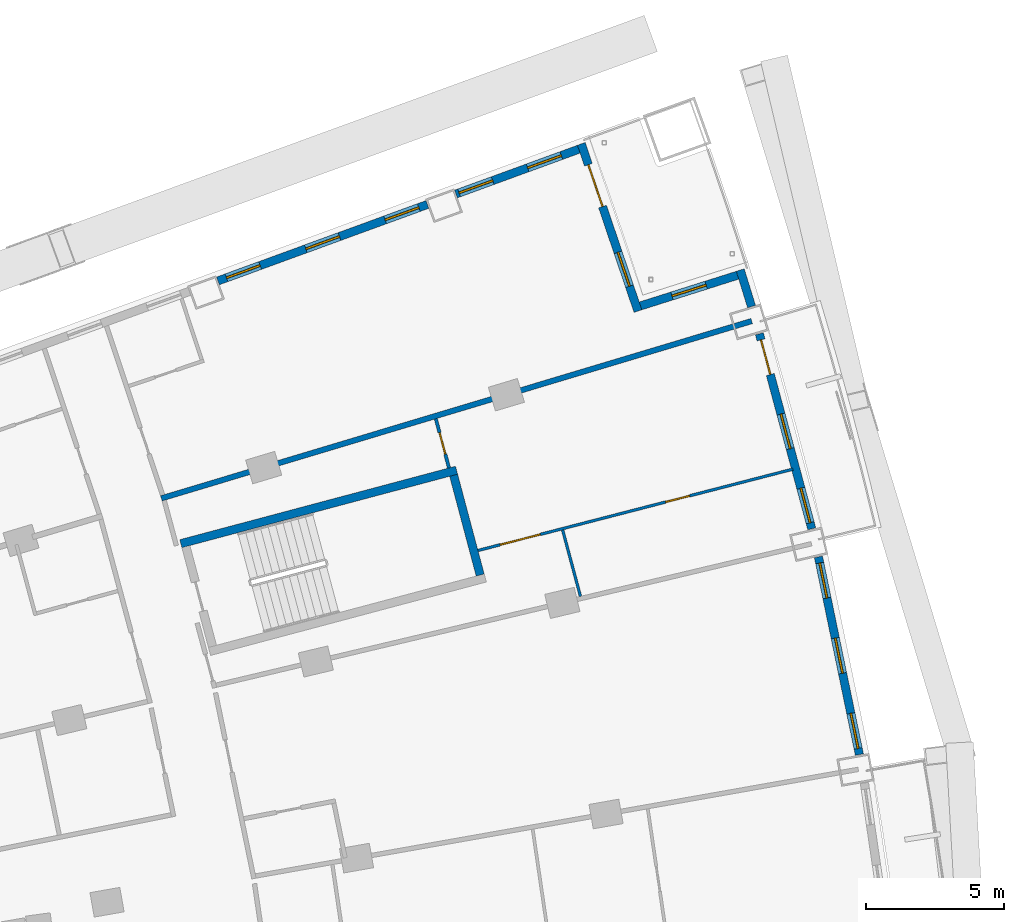
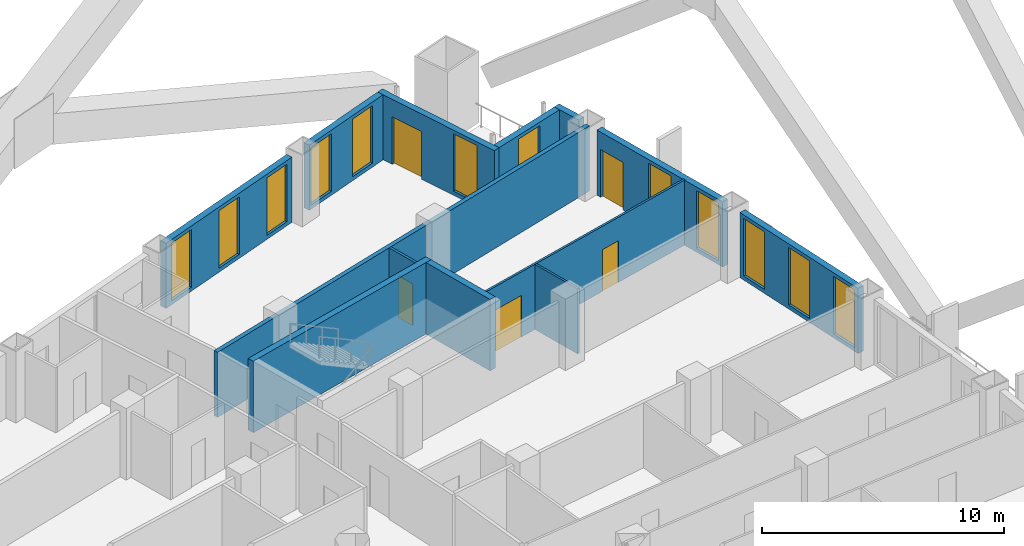
# One storey, part 21 of 25: 13 walls, 12 windows, 5 doors, 17 openings.
"""IFC4 building model written with IfcOpenShell, lengths in metres."""

from ifc_helpers import new_model, si_unit, direction, frame, frame_2d, origin, place, context, subcontext, project, spatial, rectangle, extrude, material, layer, layer_set, type_object, element, fill, save


model = new_model("IFC4")

# Units and contexts
model_context = context("Model", 3, precision=1e-05, world=origin(), true_north=direction((0.0, 1.0)))
body_context = subcontext(model_context, "Body", "Model", "MODEL_VIEW")
ifc_project = project(units=[si_unit("LENGTHUNIT", "METRE"), si_unit("AREAUNIT", "SQUARE_METRE"), si_unit("VOLUMEUNIT", "CUBIC_METRE"), si_unit("PLANEANGLEUNIT", "RADIAN"), si_unit("MASSUNIT", "GRAM", prefix="KILO")], contexts=[model_context])

# Site, building, storey
site_placement = place(None, origin())
site = spatial("IfcSite", under=ifc_project, at=site_placement, CompositionType="ELEMENT")
building_placement = place(site_placement, origin())
building = spatial("IfcBuilding", under=site, at=building_placement, Name="Alderwake Tower", CompositionType="ELEMENT")
storey_placement = place(building_placement, frame((0.0, 0.0, 32.0)))
storey = spatial("IfcBuildingStorey", under=building, at=storey_placement, Name="L06", CompositionType="ELEMENT", Elevation=32.0)

# Walls
ifc_material_1 = material(Name="Concrete C70/85", Category="concrete")
ifc_layer_1 = layer(ifc_material_1, 0.300048828125)
ifc_layer_set_1 = layer_set([ifc_layer_1], Name="Core wall stair enclosure 300 C70-85")
wall_type_1 = type_object("IfcWallType", Name="Core wall stair enclosure 300 C70-85", PredefinedType="SHEAR", material=ifc_layer_set_1)
wall_1_placement = place(storey_placement, frame((36.71142578125, 94.182373046875, 0.0), z_axis=(0.0, 0.0, 1.0), x_axis=(0.966309214305, 0.257383958996, 0.0)))
element("IfcWall", 1, at=wall_1_placement, inside=storey, type_object=wall_type_1, Name="Core wall CW.082", PredefinedType="SHEAR", context=body_context, shape_type="SweptSolid", body=[
    extrude(rectangle(XDim=10.360107421875, YDim=0.300048828125, at=frame_2d((5.18017578125, 0.0))), origin(), (0.0, 0.0, 1.0), 3.60009765625),
])
wall_2_placement = place(storey_placement, frame((47.581298828125, 93.041748046875, 0.0), z_axis=(0.0, 0.0, 1.0), x_axis=(-0.257366821694, 0.966313778796, 0.0)))
element("IfcWall", 2, at=wall_2_placement, inside=storey, type_object=wall_type_1, Name="Core wall CW.081", PredefinedType="SHEAR", context=body_context, shape_type="SweptSolid", body=[
    extrude(rectangle(XDim=3.749755859375, YDim=0.300048828125, at=frame_2d((1.875, 0.0))), origin(), (0.0, 0.0, 1.0), 3.60009765625),
])

# Wall, openings, windows
ifc_material_2 = material(Name="Precast concrete C50/60 spandrel panel", Category="concrete")
ifc_layer_2 = layer(ifc_material_2, 0.300048828125)
ifc_layer_set_2 = layer_set([ifc_layer_2], Name="External wall EW1 Precast concrete C50/60 spandrel")
wall_type_2 = type_object("IfcWallType", Name="External wall EW1 Precast concrete C50/60 spandrel", PredefinedType="SOLIDWALL", material=ifc_layer_set_2)
wall_3_placement = place(storey_placement, frame((61.349609375, 86.5244140625, 0.0), z_axis=(0.0, 0.0, 1.0), x_axis=(-0.202760911141, 0.979228274159, 0.0)))
wall_3 = element("IfcWall", 3, at=wall_3_placement, inside=storey, type_object=wall_type_2, Name="External wall 20", PredefinedType="SOLIDWALL", context=body_context, shape_type="SweptSolid", body=[
    extrude(rectangle(XDim=7.329345703125, YDim=0.300048828125, at=frame_2d((3.66455078125, 0.0))), origin(), (0.0, 0.0, 1.0), 3.280029296875),
])
opening_1_placement = place(wall_3_placement, frame((0.226806640625, 0.0, 0.199951171875)))
opening_1 = element("IfcOpeningElement", 4, at=opening_1_placement, cuts=wall_3, Name="Opening W1", PredefinedType="OPENING", context=body_context, shape_type="SweptSolid", body=[
    extrude(rectangle(XDim=1.300048828125, YDim=2.89990234375, at=frame_2d((0.64990234375, 1.449951171875))), frame((0.0, 0.159912109375, 0.0), z_axis=(0.0, -1.0, 0.0), x_axis=(1.0, 0.0, 0.0)), (0.0, 0.0, 1.0), 0.320068359375),
])
opening_2_placement = place(wall_3_placement, frame((3.0146484375, 0.0, 0.199951171875)))
opening_2 = element("IfcOpeningElement", 5, at=opening_2_placement, cuts=wall_3, Name="Opening W1", PredefinedType="OPENING", context=body_context, shape_type="SweptSolid", body=[
    extrude(rectangle(XDim=1.300048828125, YDim=2.89990234375, at=frame_2d((0.64990234375, 1.449951171875))), frame((0.0, 0.159912109375, 0.0), z_axis=(0.0, -1.0, 0.0), x_axis=(1.0, 0.0, 0.0)), (0.0, 0.0, 1.0), 0.320068359375),
])
opening_3_placement = place(wall_3_placement, frame((5.802490234375, 0.0, 0.199951171875)))
opening_3 = element("IfcOpeningElement", 6, at=opening_3_placement, cuts=wall_3, Name="Opening W1", PredefinedType="OPENING", context=body_context, shape_type="SweptSolid", body=[
    extrude(rectangle(XDim=1.300048828125, YDim=2.89990234375, at=frame_2d((0.64990234375, 1.449951171875))), frame((0.0, 0.159912109375, 0.0), z_axis=(0.0, -1.0, 0.0), x_axis=(1.0, 0.0, 0.0)), (0.0, 0.0, 1.0), 0.320068359375),
])
ifc_material_3 = material(Name="Bronze tinted glass in aluminium frame", Category="aluminium")
window_type = type_object("IfcWindowType", Name="Window W1 tall fixed and vent", PartitioningType="DOUBLE_PANEL_VERTICAL", PredefinedType="WINDOW", material=ifc_material_3)
window_1_placement = place(opening_1_placement, origin())
window_1 = element("IfcWindow", 7, at=window_1_placement, inside=storey, type_object=window_type, Name="Window W1 tall fixed and vent", OverallHeight=2.89990234375, OverallWidth=1.300048828125, PartitioningType="DOUBLE_PANEL_VERTICAL", PredefinedType="WINDOW", context=body_context, shape_type="SweptSolid", body=[
    extrude(rectangle(XDim=1.300048828125, YDim=2.89990234375, at=frame_2d((0.64990234375, 1.449951171875))), frame((0.0, 0.030029296875, 0.0), z_axis=(0.0, -1.0, 0.0), x_axis=(1.0, 0.0, 0.0)), (0.0, 0.0, 1.0), 0.06005859375),
])
fill(opening_1, window_1)
window_2_placement = place(opening_2_placement, origin())
window_2 = element("IfcWindow", 8, at=window_2_placement, inside=storey, type_object=window_type, Name="Window W1 tall fixed and vent", OverallHeight=2.89990234375, OverallWidth=1.300048828125, PartitioningType="DOUBLE_PANEL_VERTICAL", PredefinedType="WINDOW", context=body_context, shape_type="SweptSolid", body=[
    extrude(rectangle(XDim=1.300048828125, YDim=2.89990234375, at=frame_2d((0.64990234375, 1.449951171875))), frame((0.0, 0.030029296875, 0.0), z_axis=(0.0, -1.0, 0.0), x_axis=(1.0, 0.0, 0.0)), (0.0, 0.0, 1.0), 0.06005859375),
])
fill(opening_2, window_2)
window_3_placement = place(opening_3_placement, origin())
window_3 = element("IfcWindow", 9, at=window_3_placement, inside=storey, type_object=window_type, Name="Window W1 tall fixed and vent", OverallHeight=2.89990234375, OverallWidth=1.300048828125, PartitioningType="DOUBLE_PANEL_VERTICAL", PredefinedType="WINDOW", context=body_context, shape_type="SweptSolid", body=[
    extrude(rectangle(XDim=1.300048828125, YDim=2.89990234375, at=frame_2d((0.64990234375, 1.449951171875))), frame((0.0, 0.030029296875, 0.0), z_axis=(0.0, -1.0, 0.0), x_axis=(1.0, 0.0, 0.0)), (0.0, 0.0, 1.0), 0.06005859375),
])
fill(opening_3, window_3)

# Wall, openings, door, windows
wall_4_placement = place(storey_placement, frame((59.62109375, 94.7216796875, 0.0), z_axis=(0.0, 0.0, 1.0), x_axis=(-0.259490825488, 0.965745572854, 0.0)))
wall_4 = element("IfcWall", 10, at=wall_4_placement, inside=storey, type_object=wall_type_2, Name="External wall 21", PredefinedType="SOLIDWALL", context=body_context, shape_type="SweptSolid", body=[
    extrude(rectangle(XDim=7.3291015625, YDim=0.300048828125, at=frame_2d((3.66455078125, 0.0))), origin(), (0.0, 0.0, 1.0), 3.280029296875),
])
opening_4_placement = place(wall_4_placement, frame((0.226806640625, 0.0, 0.199951171875)))
opening_4 = element("IfcOpeningElement", 11, at=opening_4_placement, cuts=wall_4, Name="Opening W1", PredefinedType="OPENING", context=body_context, shape_type="SweptSolid", body=[
    extrude(rectangle(XDim=1.300048828125, YDim=2.89990234375, at=frame_2d((0.64990234375, 1.449951171875))), frame((0.0, 0.159912109375, 0.0), z_axis=(0.0, -1.0, 0.0), x_axis=(1.0, 0.0, 0.0)), (0.0, 0.0, 1.0), 0.320068359375),
])
opening_5_placement = place(wall_4_placement, frame((3.0146484375, 0.0, 0.199951171875)))
opening_5 = element("IfcOpeningElement", 12, at=opening_5_placement, cuts=wall_4, Name="Opening W1", PredefinedType="OPENING", context=body_context, shape_type="SweptSolid", body=[
    extrude(rectangle(XDim=1.300048828125, YDim=2.89990234375, at=frame_2d((0.64990234375, 1.449951171875))), frame((0.0, 0.159912109375, 0.0), z_axis=(0.0, -1.0, 0.0), x_axis=(1.0, 0.0, 0.0)), (0.0, 0.0, 1.0), 0.320068359375),
])
opening_6_placement = place(wall_4_placement, frame((5.802490234375, 0.0, 0.0)))
opening_6 = element("IfcOpeningElement", 13, at=opening_6_placement, cuts=wall_4, Name="Opening D11", PredefinedType="OPENING", context=body_context, shape_type="SweptSolid", body=[
    extrude(rectangle(XDim=1.300048828125, YDim=2.39990234375, at=frame_2d((0.64990234375, 1.199951171875))), frame((0.0, 0.159912109375, 0.0), z_axis=(0.0, -1.0, 0.0), x_axis=(1.0, 0.0, 0.0)), (0.0, 0.0, 1.0), 0.320068359375),
])
ifc_material_4 = material(Name="Bronze tinted glass in aluminium frame", Category="aluminium")
door_type_1 = type_object("IfcDoorType", Name="Balcony door BD sliding", OperationType="SLIDING_TO_LEFT", PredefinedType="DOOR", material=ifc_material_4)
door_1_placement = place(opening_6_placement, origin())
door_1 = element("IfcDoor", 14, at=door_1_placement, inside=storey, type_object=door_type_1, Name="Door D11", OperationType="SLIDING_TO_LEFT", OverallHeight=2.39990234375, OverallWidth=1.300048828125, PredefinedType="DOOR", context=body_context, shape_type="SweptSolid", body=[
    extrude(rectangle(XDim=1.300048828125, YDim=2.39990234375, at=frame_2d((0.64990234375, 1.199951171875))), frame((0.0, 0.02490234375, 0.0), z_axis=(0.0, -1.0, 0.0), x_axis=(1.0, 0.0, 0.0)), (0.0, 0.0, 1.0), 0.050048828125),
])
fill(opening_6, door_1)
window_4_placement = place(opening_4_placement, origin())
window_4 = element("IfcWindow", 15, at=window_4_placement, inside=storey, type_object=window_type, Name="Window W1 tall fixed and vent", OverallHeight=2.89990234375, OverallWidth=1.300048828125, PartitioningType="DOUBLE_PANEL_VERTICAL", PredefinedType="WINDOW", context=body_context, shape_type="SweptSolid", body=[
    extrude(rectangle(XDim=1.300048828125, YDim=2.89990234375, at=frame_2d((0.64990234375, 1.449951171875))), frame((0.0, 0.030029296875, 0.0), z_axis=(0.0, -1.0, 0.0), x_axis=(1.0, 0.0, 0.0)), (0.0, 0.0, 1.0), 0.06005859375),
])
fill(opening_4, window_4)
window_5_placement = place(opening_5_placement, origin())
window_5 = element("IfcWindow", 16, at=window_5_placement, inside=storey, type_object=window_type, Name="Window W1 tall fixed and vent", OverallHeight=2.89990234375, OverallWidth=1.300048828125, PartitioningType="DOUBLE_PANEL_VERTICAL", PredefinedType="WINDOW", context=body_context, shape_type="SweptSolid", body=[
    extrude(rectangle(XDim=1.300048828125, YDim=2.89990234375, at=frame_2d((0.64990234375, 1.449951171875))), frame((0.0, 0.030029296875, 0.0), z_axis=(0.0, -1.0, 0.0), x_axis=(1.0, 0.0, 0.0)), (0.0, 0.0, 1.0), 0.06005859375),
])
fill(opening_5, window_5)

# Wall
wall_5_placement = place(storey_placement, frame((57.43408203125, 102.790283203125, 0.0), z_axis=(0.0, 0.0, 1.0), x_axis=(-0.294678837425, 0.955596349289, 0.0)))
element("IfcWall", 17, at=wall_5_placement, inside=storey, type_object=wall_type_2, Name="External wall 22", PredefinedType="SOLIDWALL", context=body_context, shape_type="SweptSolid", body=[
    extrude(rectangle(XDim=1.388671875, YDim=0.300048828125, at=frame_2d((0.6943359375, 0.0))), origin(), (0.0, 0.0, 1.0), 3.280029296875),
])

# Wall, opening, window
ifc_material_5 = material(Name="Bronze metal cladding on lightweight framing")
ifc_layer_3 = layer(ifc_material_5, 0.300048828125)
ifc_layer_set_3 = layer_set([ifc_layer_3], Name="External wall EW2 bronze metal cladding")
wall_type_3 = type_object("IfcWallType", Name="External wall EW2 bronze metal cladding", PredefinedType="SOLIDWALL", material=ifc_layer_set_3)
wall_6_placement = place(storey_placement, frame((56.926025390625, 103.9287109375, 0.0), z_axis=(0.0, 0.0, 1.0), x_axis=(-0.953466730622, -0.301498248083, 0.0)))
wall_6 = element("IfcWall", 18, at=wall_6_placement, inside=storey, type_object=wall_type_3, Name="External wall 23", PredefinedType="SOLIDWALL", context=body_context, shape_type="SweptSolid", body=[
    extrude(rectangle(XDim=3.694091796875, YDim=0.300048828125, at=frame_2d((1.84716796875, 0.0))), origin(), (0.0, 0.0, 1.0), 3.280029296875),
])
opening_7_placement = place(wall_6_placement, frame((1.197021484375, 0.0, 0.199951171875)))
opening_7 = element("IfcOpeningElement", 19, at=opening_7_placement, cuts=wall_6, Name="Opening W1", PredefinedType="OPENING", context=body_context, shape_type="SweptSolid", body=[
    extrude(rectangle(XDim=1.300048828125, YDim=2.89990234375, at=frame_2d((0.64990234375, 1.449951171875))), frame((0.0, 0.159912109375, 0.0), z_axis=(0.0, -1.0, 0.0), x_axis=(1.0, 0.0, 0.0)), (0.0, 0.0, 1.0), 0.320068359375),
])
window_6_placement = place(opening_7_placement, origin())
window_6 = element("IfcWindow", 20, at=window_6_placement, inside=storey, type_object=window_type, Name="Window W1 tall fixed and vent", OverallHeight=2.89990234375, OverallWidth=1.300048828125, PartitioningType="DOUBLE_PANEL_VERTICAL", PredefinedType="WINDOW", context=body_context, shape_type="SweptSolid", body=[
    extrude(rectangle(XDim=1.300048828125, YDim=2.89990234375, at=frame_2d((0.64990234375, 1.449951171875))), frame((0.0, 0.030029296875, 0.0), z_axis=(0.0, -1.0, 0.0), x_axis=(1.0, 0.0, 0.0)), (0.0, 0.0, 1.0), 0.06005859375),
])
fill(opening_7, window_6)

# Wall, openings, door, window
wall_7_placement = place(storey_placement, frame((53.308837890625, 102.627685546875, 0.0), z_axis=(0.0, 0.0, 1.0), x_axis=(-0.320897976071, 0.947113767693, 0.0)))
wall_7 = element("IfcWall", 21, at=wall_7_placement, inside=storey, type_object=wall_type_3, Name="External wall 24", PredefinedType="SOLIDWALL", context=body_context, shape_type="SweptSolid", body=[
    extrude(rectangle(XDim=6.408935546875, YDim=0.300048828125, at=frame_2d((3.20458984375, 0.0))), origin(), (0.0, 0.0, 1.0), 3.280029296875),
])
opening_8_placement = place(wall_7_placement, frame((0.952392578125, 0.0, 0.199951171875)))
opening_8 = element("IfcOpeningElement", 22, at=opening_8_placement, cuts=wall_7, Name="Opening W1", PredefinedType="OPENING", context=body_context, shape_type="SweptSolid", body=[
    extrude(rectangle(XDim=1.300048828125, YDim=2.89990234375, at=frame_2d((0.64990234375, 1.449951171875))), frame((0.0, 0.159912109375, 0.0), z_axis=(0.0, -1.0, 0.0), x_axis=(1.0, 0.0, 0.0)), (0.0, 0.0, 1.0), 0.320068359375),
])
opening_9_placement = place(wall_7_placement, frame((4.0068359375, 0.0, 0.0)))
opening_9 = element("IfcOpeningElement", 23, at=opening_9_placement, cuts=wall_7, Name="Opening D12", PredefinedType="OPENING", context=body_context, shape_type="SweptSolid", body=[
    extrude(rectangle(XDim=1.60009765625, YDim=2.39990234375, at=frame_2d((0.800048828125, 1.199951171875))), frame((0.0, 0.159912109375, 0.0), z_axis=(0.0, -1.0, 0.0), x_axis=(1.0, 0.0, 0.0)), (0.0, 0.0, 1.0), 0.320068359375),
])
ifc_material_6 = material(Name="Bronze tinted glass in aluminium frame", Category="aluminium")
door_type_2 = type_object("IfcDoorType", Name="Terrace door TD sliding", OperationType="SLIDING_TO_LEFT", PredefinedType="DOOR", material=ifc_material_6)
door_2_placement = place(opening_9_placement, origin())
door_2 = element("IfcDoor", 24, at=door_2_placement, inside=storey, type_object=door_type_2, Name="Door D12", OperationType="SLIDING_TO_LEFT", OverallHeight=2.39990234375, OverallWidth=1.60009765625, PredefinedType="DOOR", context=body_context, shape_type="SweptSolid", body=[
    extrude(rectangle(XDim=1.60009765625, YDim=2.39990234375, at=frame_2d((0.800048828125, 1.199951171875))), frame((0.0, 0.02490234375, 0.0), z_axis=(0.0, -1.0, 0.0), x_axis=(1.0, 0.0, 0.0)), (0.0, 0.0, 1.0), 0.050048828125),
])
fill(opening_9, door_2)
window_7_placement = place(opening_8_placement, origin())
window_7 = element("IfcWindow", 25, at=window_7_placement, inside=storey, type_object=window_type, Name="Window W1 tall fixed and vent", OverallHeight=2.89990234375, OverallWidth=1.300048828125, PartitioningType="DOUBLE_PANEL_VERTICAL", PredefinedType="WINDOW", context=body_context, shape_type="SweptSolid", body=[
    extrude(rectangle(XDim=1.300048828125, YDim=2.89990234375, at=frame_2d((0.64990234375, 1.449951171875))), frame((0.0, 0.030029296875, 0.0), z_axis=(0.0, -1.0, 0.0), x_axis=(1.0, 0.0, 0.0)), (0.0, 0.0, 1.0), 0.06005859375),
])
fill(opening_8, window_7)

# Wall, openings, windows
wall_8_placement = place(storey_placement, frame((51.159423828125, 108.50439453125, 0.0), z_axis=(0.0, 0.0, 1.0), x_axis=(-0.939369156015, -0.342907551284, 0.0)))
wall_8 = element("IfcWall", 26, at=wall_8_placement, inside=storey, type_object=wall_type_3, Name="External wall 25", PredefinedType="SOLIDWALL", context=body_context, shape_type="SweptSolid", body=[
    extrude(rectangle(XDim=4.74609375, YDim=0.300048828125, at=frame_2d((2.373046875, 0.0))), origin(), (0.0, 0.0, 1.0), 3.280029296875),
])
opening_10_placement = place(wall_8_placement, frame((0.674560546875, 0.0, 0.199951171875)))
opening_10 = element("IfcOpeningElement", 27, at=opening_10_placement, cuts=wall_8, Name="Opening W1", PredefinedType="OPENING", context=body_context, shape_type="SweptSolid", body=[
    extrude(rectangle(XDim=1.300048828125, YDim=2.89990234375, at=frame_2d((0.64990234375, 1.449951171875))), frame((0.0, 0.159912109375, 0.0), z_axis=(0.0, -1.0, 0.0), x_axis=(1.0, 0.0, 0.0)), (0.0, 0.0, 1.0), 0.320068359375),
])
opening_11_placement = place(wall_8_placement, frame((3.323486328125, 0.0, 0.199951171875)))
opening_11 = element("IfcOpeningElement", 28, at=opening_11_placement, cuts=wall_8, Name="Opening W1", PredefinedType="OPENING", context=body_context, shape_type="SweptSolid", body=[
    extrude(rectangle(XDim=1.300048828125, YDim=2.89990234375, at=frame_2d((0.64990234375, 1.449951171875))), frame((0.0, 0.159912109375, 0.0), z_axis=(0.0, -1.0, 0.0), x_axis=(1.0, 0.0, 0.0)), (0.0, 0.0, 1.0), 0.320068359375),
])
window_8_placement = place(opening_10_placement, origin())
window_8 = element("IfcWindow", 29, at=window_8_placement, inside=storey, type_object=window_type, Name="Window W1 tall fixed and vent", OverallHeight=2.89990234375, OverallWidth=1.300048828125, PartitioningType="DOUBLE_PANEL_VERTICAL", PredefinedType="WINDOW", context=body_context, shape_type="SweptSolid", body=[
    extrude(rectangle(XDim=1.300048828125, YDim=2.89990234375, at=frame_2d((0.64990234375, 1.449951171875))), frame((0.0, 0.030029296875, 0.0), z_axis=(0.0, -1.0, 0.0), x_axis=(1.0, 0.0, 0.0)), (0.0, 0.0, 1.0), 0.06005859375),
])
fill(opening_10, window_8)
window_9_placement = place(opening_11_placement, origin())
window_9 = element("IfcWindow", 30, at=window_9_placement, inside=storey, type_object=window_type, Name="Window W1 tall fixed and vent", OverallHeight=2.89990234375, OverallWidth=1.300048828125, PartitioningType="DOUBLE_PANEL_VERTICAL", PredefinedType="WINDOW", context=body_context, shape_type="SweptSolid", body=[
    extrude(rectangle(XDim=1.300048828125, YDim=2.89990234375, at=frame_2d((0.64990234375, 1.449951171875))), frame((0.0, 0.030029296875, 0.0), z_axis=(0.0, -1.0, 0.0), x_axis=(1.0, 0.0, 0.0)), (0.0, 0.0, 1.0), 0.06005859375),
])
fill(opening_11, window_9)

wall_9_placement = place(storey_placement, frame((45.6640625, 106.498291015625, 0.0), z_axis=(0.0, 0.0, 1.0), x_axis=(-0.939382451577, -0.342871126912, 0.0)))
wall_9 = element("IfcWall", 31, at=wall_9_placement, inside=storey, type_object=wall_type_3, Name="External wall 26", PredefinedType="SOLIDWALL", context=body_context, shape_type="SweptSolid", body=[
    extrude(rectangle(XDim=8.095947265625, YDim=0.300048828125, at=frame_2d((4.0478515625, 0.0))), origin(), (0.0, 0.0, 1.0), 3.280029296875),
])
opening_12_placement = place(wall_9_placement, frame((0.331298828125, 0.0, 0.199951171875)))
opening_12 = element("IfcOpeningElement", 32, at=opening_12_placement, cuts=wall_9, Name="Opening W1", PredefinedType="OPENING", context=body_context, shape_type="SweptSolid", body=[
    extrude(rectangle(XDim=1.300048828125, YDim=2.89990234375, at=frame_2d((0.64990234375, 1.449951171875))), frame((0.0, 0.159912109375, 0.0), z_axis=(0.0, -1.0, 0.0), x_axis=(1.0, 0.0, 0.0)), (0.0, 0.0, 1.0), 0.320068359375),
])
opening_13_placement = place(wall_9_placement, frame((3.39794921875, 0.0, 0.199951171875)))
opening_13 = element("IfcOpeningElement", 33, at=opening_13_placement, cuts=wall_9, Name="Opening W1", PredefinedType="OPENING", context=body_context, shape_type="SweptSolid", body=[
    extrude(rectangle(XDim=1.300048828125, YDim=2.89990234375, at=frame_2d((0.64990234375, 1.449951171875))), frame((0.0, 0.159912109375, 0.0), z_axis=(0.0, -1.0, 0.0), x_axis=(1.0, 0.0, 0.0)), (0.0, 0.0, 1.0), 0.320068359375),
])
opening_14_placement = place(wall_9_placement, frame((6.464599609375, 0.0, 0.199951171875)))
opening_14 = element("IfcOpeningElement", 34, at=opening_14_placement, cuts=wall_9, Name="Opening W1", PredefinedType="OPENING", context=body_context, shape_type="SweptSolid", body=[
    extrude(rectangle(XDim=1.300048828125, YDim=2.89990234375, at=frame_2d((0.64990234375, 1.449951171875))), frame((0.0, 0.159912109375, 0.0), z_axis=(0.0, -1.0, 0.0), x_axis=(1.0, 0.0, 0.0)), (0.0, 0.0, 1.0), 0.320068359375),
])
window_10_placement = place(opening_12_placement, origin())
window_10 = element("IfcWindow", 35, at=window_10_placement, inside=storey, type_object=window_type, Name="Window W1 tall fixed and vent", OverallHeight=2.89990234375, OverallWidth=1.300048828125, PartitioningType="DOUBLE_PANEL_VERTICAL", PredefinedType="WINDOW", context=body_context, shape_type="SweptSolid", body=[
    extrude(rectangle(XDim=1.300048828125, YDim=2.89990234375, at=frame_2d((0.64990234375, 1.449951171875))), frame((0.0, 0.030029296875, 0.0), z_axis=(0.0, -1.0, 0.0), x_axis=(1.0, 0.0, 0.0)), (0.0, 0.0, 1.0), 0.06005859375),
])
fill(opening_12, window_10)
window_11_placement = place(opening_13_placement, origin())
window_11 = element("IfcWindow", 36, at=window_11_placement, inside=storey, type_object=window_type, Name="Window W1 tall fixed and vent", OverallHeight=2.89990234375, OverallWidth=1.300048828125, PartitioningType="DOUBLE_PANEL_VERTICAL", PredefinedType="WINDOW", context=body_context, shape_type="SweptSolid", body=[
    extrude(rectangle(XDim=1.300048828125, YDim=2.89990234375, at=frame_2d((0.64990234375, 1.449951171875))), frame((0.0, 0.030029296875, 0.0), z_axis=(0.0, -1.0, 0.0), x_axis=(1.0, 0.0, 0.0)), (0.0, 0.0, 1.0), 0.06005859375),
])
fill(opening_13, window_11)
window_12_placement = place(opening_14_placement, origin())
window_12 = element("IfcWindow", 37, at=window_12_placement, inside=storey, type_object=window_type, Name="Window W1 tall fixed and vent", OverallHeight=2.89990234375, OverallWidth=1.300048828125, PartitioningType="DOUBLE_PANEL_VERTICAL", PredefinedType="WINDOW", context=body_context, shape_type="SweptSolid", body=[
    extrude(rectangle(XDim=1.300048828125, YDim=2.89990234375, at=frame_2d((0.64990234375, 1.449951171875))), frame((0.0, 0.030029296875, 0.0), z_axis=(0.0, -1.0, 0.0), x_axis=(1.0, 0.0, 0.0)), (0.0, 0.0, 1.0), 0.06005859375),
])
fill(opening_14, window_12)

# Wall
ifc_material_7 = material(Name="Dense block masonry wall", Category="masonry")
ifc_layer_4 = layer(ifc_material_7, 0.199951171875)
ifc_layer_set_4 = layer_set([ifc_layer_4], Name="Party wall 200")
wall_type_4 = type_object("IfcWallType", Name="Party wall 200", PredefinedType="SOLIDWALL", material=ifc_layer_set_4)
wall_10_placement = place(storey_placement, frame((57.43798828125, 102.263916015625, 0.0), z_axis=(0.0, 0.0, 1.0), x_axis=(-0.957740971091, -0.287632112764, 0.0)))
element("IfcWall", 38, at=wall_10_placement, inside=storey, type_object=wall_type_4, Name="WL/L06/W07", PredefinedType="SOLIDWALL", context=body_context, shape_type="SweptSolid", body=[
    extrude(rectangle(XDim=22.37939453125, YDim=0.199951171875, at=frame_2d((11.189697265625, 0.0))), origin(), (0.0, 0.0, 1.0), 3.280029296875),
])

# Wall, openings, doors
ifc_material_8 = material(Name="Gypsum board on metal studs")
ifc_layer_5 = layer(ifc_material_8, 0.10009765625)
ifc_layer_set_5 = layer_set([ifc_layer_5], Name="Unit partition 100")
wall_type_5 = type_object("IfcWallType", Name="Unit partition 100", PredefinedType="PARTITIONING", material=ifc_layer_set_5)
wall_11_placement = place(storey_placement, frame((47.4990234375, 93.93310546875, 0.0), z_axis=(0.0, 0.0, 1.0), x_axis=(0.968219073659, 0.250103629327, 0.0)))
wall_11 = element("IfcWall", 39, at=wall_11_placement, inside=storey, type_object=wall_type_5, Name="WL/L06/W75", PredefinedType="PARTITIONING", context=body_context, shape_type="SweptSolid", body=[
    extrude(rectangle(XDim=11.814453125, YDim=0.10009765625, at=frame_2d((5.9072265625, 0.0))), origin(), (0.0, 0.0, 1.0), 3.280029296875),
])
opening_15_placement = place(wall_11_placement, frame((0.831787109375, 0.0, 0.0)))
opening_15 = element("IfcOpeningElement", 40, at=opening_15_placement, cuts=wall_11, Name="Opening R01-U02.2", PredefinedType="OPENING", context=body_context, shape_type="SweptSolid", body=[
    extrude(rectangle(XDim=1.5, YDim=2.10009765625, at=frame_2d((0.75, 1.050048828125))), frame((0.0, 0.06005859375, 0.0), z_axis=(0.0, -1.0, 0.0), x_axis=(1.0, 0.0, 0.0)), (0.0, 0.0, 1.0), 0.1201171875),
])
opening_16_placement = place(wall_11_placement, frame((7.0380859375, 0.0, 0.0)))
opening_16 = element("IfcOpeningElement", 41, at=opening_16_placement, cuts=wall_11, Name="Opening R01-U02.3", PredefinedType="OPENING", context=body_context, shape_type="SweptSolid", body=[
    extrude(rectangle(XDim=0.89990234375, YDim=2.10009765625, at=frame_2d((0.449951171875, 1.050048828125))), frame((0.0, 0.06005859375, 0.0), z_axis=(0.0, -1.0, 0.0), x_axis=(1.0, 0.0, 0.0)), (0.0, 0.0, 1.0), 0.1201171875),
])
ifc_material_9 = material(Name="Painted timber leaves", Category="wood")
door_type_3 = type_object("IfcDoorType", Name="Double leaf door 1500", OperationType="DOUBLE_DOOR_SINGLE_SWING", PredefinedType="DOOR", material=ifc_material_9)
door_3_placement = place(opening_15_placement, origin())
door_3 = element("IfcDoor", 42, at=door_3_placement, inside=storey, type_object=door_type_3, Name="DR/L06/U02.2", OperationType="DOUBLE_DOOR_SINGLE_SWING", OverallHeight=2.10009765625, OverallWidth=1.5, PredefinedType="DOOR", context=body_context, shape_type="SweptSolid", body=[
    extrude(rectangle(XDim=1.5, YDim=2.10009765625, at=frame_2d((0.75, 1.050048828125))), frame((0.0, 0.02490234375, 0.0), z_axis=(0.0, -1.0, 0.0), x_axis=(1.0, 0.0, 0.0)), (0.0, 0.0, 1.0), 0.050048828125),
])
fill(opening_15, door_3)
ifc_material_10 = material(Name="Painted timber leaf", Category="wood")
door_type_4 = type_object("IfcDoorType", Name="Room door 900", OperationType="SINGLE_SWING_LEFT", PredefinedType="DOOR", material=ifc_material_10)
door_4_placement = place(opening_16_placement, origin())
door_4 = element("IfcDoor", 43, at=door_4_placement, inside=storey, type_object=door_type_4, Name="DR/L06/U02.3", OperationType="SINGLE_SWING_LEFT", OverallHeight=2.10009765625, OverallWidth=0.89990234375, PredefinedType="DOOR", context=body_context, shape_type="SweptSolid", body=[
    extrude(rectangle(XDim=0.89990234375, YDim=2.10009765625, at=frame_2d((0.449951171875, 1.050048828125))), frame((0.0, 0.02490234375, 0.0), z_axis=(0.0, -1.0, 0.0), x_axis=(1.0, 0.0, 0.0)), (0.0, 0.0, 1.0), 0.050048828125),
])
fill(opening_16, door_4)

# Wall
wall_12_placement = place(storey_placement, frame((51.22216796875, 92.267333984375, 0.0), z_axis=(0.0, 0.0, 1.0), x_axis=(-0.259422454938, 0.965763941072, 0.0)))
element("IfcWall", 44, at=wall_12_placement, inside=storey, type_object=wall_type_5, Name="WL/L06/W81", PredefinedType="PARTITIONING", context=body_context, shape_type="SweptSolid", body=[
    extrude(rectangle(XDim=2.494873046875, YDim=0.10009765625, at=frame_2d((1.24755859375, 0.0))), origin(), (0.0, 0.0, 1.0), 3.280029296875),
])

# Wall, opening, door
ifc_material_11 = material(Name="Moisture resistant gypsum board on metal studs")
ifc_layer_6 = layer(ifc_material_11, 0.1201171875)
ifc_layer_set_6 = layer_set([ifc_layer_6], Name="Wet room partition 120")
wall_type_6 = type_object("IfcWallType", Name="Wet room partition 120", PredefinedType="PARTITIONING", material=ifc_layer_set_6)
wall_13_placement = place(storey_placement, frame((46.448974609375, 96.929931640625, 0.0), z_axis=(0.0, 0.0, 1.0), x_axis=(-0.258764710752, 0.965940383497, 0.0)))
wall_13 = element("IfcWall", 45, at=wall_13_placement, inside=storey, type_object=wall_type_6, Name="WL/L06/W63", PredefinedType="PARTITIONING", context=body_context, shape_type="SweptSolid", body=[
    extrude(rectangle(XDim=1.847412109375, YDim=0.1201171875, at=frame_2d((0.923828125, 0.0))), origin(), (0.0, 0.0, 1.0), 3.280029296875),
])
opening_17_placement = place(wall_13_placement, frame((0.524169921875, 0.0, 0.0)))
opening_17 = element("IfcOpeningElement", 46, at=opening_17_placement, cuts=wall_13, Name="Opening R01-U02.4", PredefinedType="OPENING", context=body_context, shape_type="SweptSolid", body=[
    extrude(rectangle(XDim=0.800048828125, YDim=2.10009765625, at=frame_2d((0.39990234375, 1.050048828125))), frame((0.0, 0.070068359375, 0.0), z_axis=(0.0, -1.0, 0.0), x_axis=(1.0, 0.0, 0.0)), (0.0, 0.0, 1.0), 0.14013671875),
])
ifc_material_12 = material(Name="Painted timber leaf", Category="wood")
door_type_5 = type_object("IfcDoorType", Name="Bathroom door 800", OperationType="SINGLE_SWING_LEFT", PredefinedType="DOOR", material=ifc_material_12)
door_5_placement = place(opening_17_placement, origin())
door_5 = element("IfcDoor", 47, at=door_5_placement, inside=storey, type_object=door_type_5, Name="DR/L06/U02.4", OperationType="SINGLE_SWING_LEFT", OverallHeight=2.10009765625, OverallWidth=0.800048828125, PredefinedType="DOOR", context=body_context, shape_type="SweptSolid", body=[
    extrude(rectangle(XDim=0.800048828125, YDim=2.10009765625, at=frame_2d((0.39990234375, 1.050048828125))), frame((0.0, 0.02490234375, 0.0), z_axis=(0.0, -1.0, 0.0), x_axis=(1.0, 0.0, 0.0)), (0.0, 0.0, 1.0), 0.050048828125),
])
fill(opening_17, door_5)

save(model, "model.ifc")
